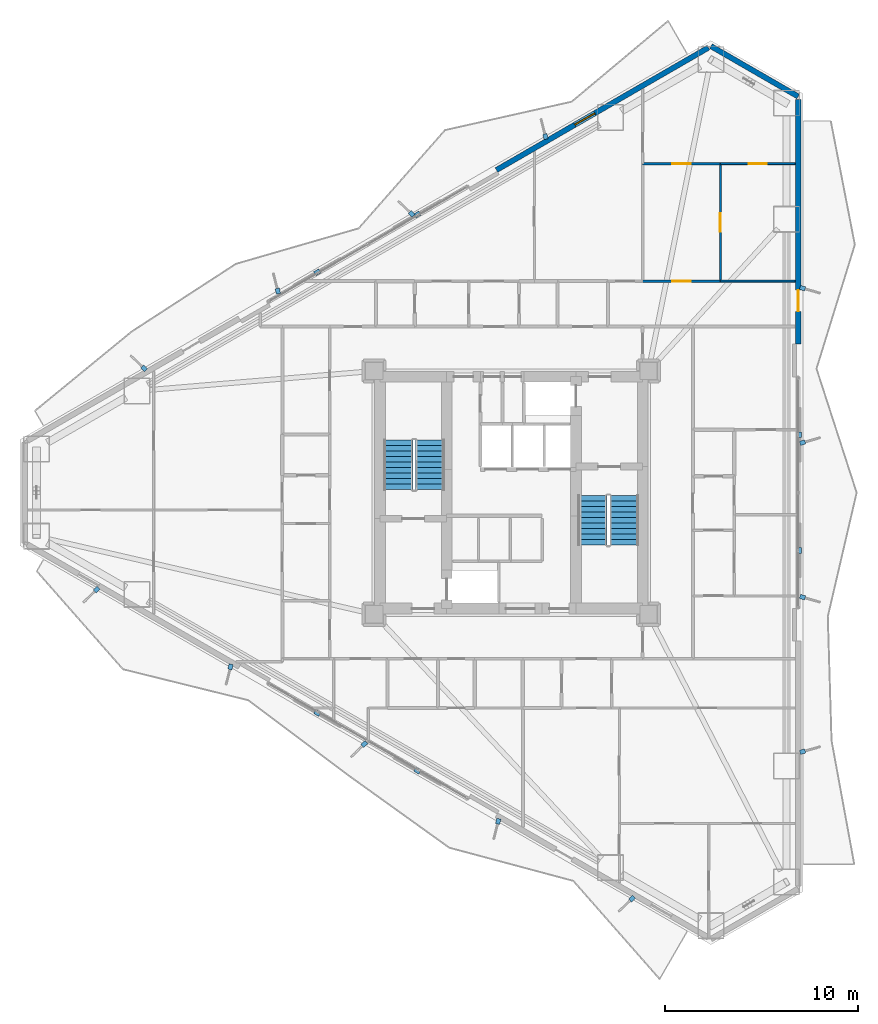
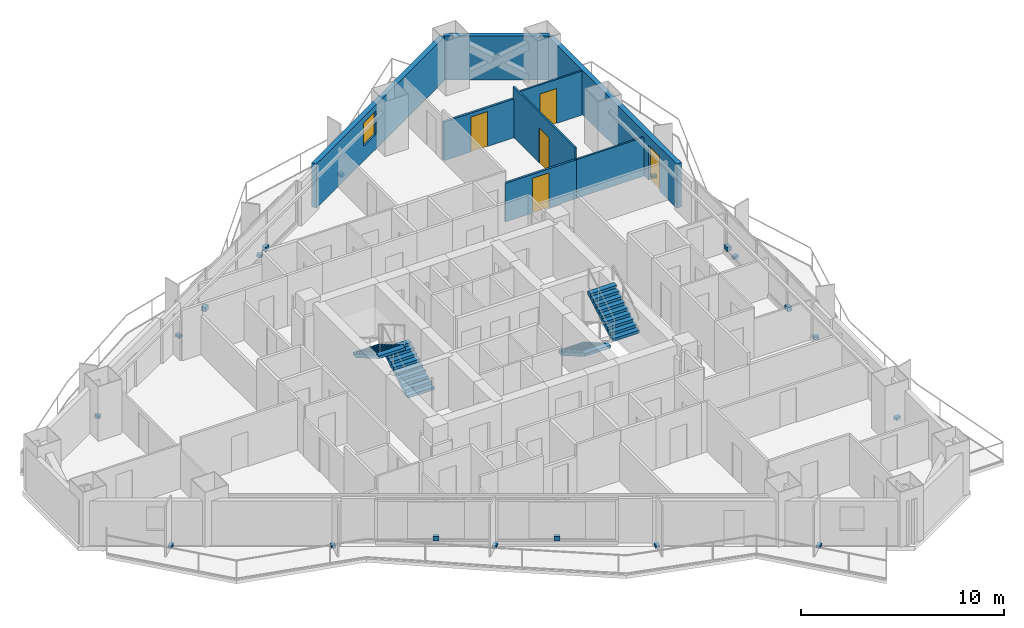
# One storey, part 17 of 19: 19 discrete accessories, 8 walls, 5 doors, 4 stair flights, 1 window, 6 openings, 2 elements without a shape of their own.
"""IFC4 building model written with IfcOpenShell, lengths in metres."""

from ifc_helpers import new_model, si_unit, direction, frame, frame_2d, origin, origin_2d, place, context, subcontext, project, spatial, polyline, rectangle, outline, extrude, material, layer, layer_set, type_object, element, fill, aggregate, save


model = new_model("IFC4")

# Units and contexts
model_context = context("Model", 3, precision=1e-05, world=origin(), true_north=direction((0.0, 1.0)))
body_context = subcontext(model_context, "Body", "Model", "MODEL_VIEW")
ifc_project = project(units=[si_unit("LENGTHUNIT", "METRE"), si_unit("AREAUNIT", "SQUARE_METRE"), si_unit("VOLUMEUNIT", "CUBIC_METRE"), si_unit("PLANEANGLEUNIT", "RADIAN"), si_unit("MASSUNIT", "GRAM", prefix="KILO")], contexts=[model_context])

# Site, building, storey
site_placement = place(None, origin())
site = spatial("IfcSite", under=ifc_project, at=site_placement, CompositionType="ELEMENT")
building_placement = place(site_placement, origin())
building = spatial("IfcBuilding", under=site, at=building_placement, Name="Mersakhor Tower and Convention Hall", CompositionType="ELEMENT")
storey_placement = place(building_placement, frame((0.0, 0.0, 22.5)))
storey = spatial("IfcBuildingStorey", under=building, at=storey_placement, Name="L05", CompositionType="ELEMENT", Elevation=22.5)

# Wall
ifc_material_1 = material(Name="Precast concrete C45/55", Category="concrete")
ifc_layer_1 = layer(ifc_material_1, 0.27490234375)
ifc_layer_set_1 = layer_set([ifc_layer_1], Name="Precast concrete C45/55")
wall_type_1 = type_object("IfcWallType", Name="WL-EXT-275", PredefinedType="SOLIDWALL", material=ifc_layer_set_1)
wall_1_placement = place(storey_placement, frame((39.3369140625, 49.865234375, 0.0), z_axis=(0.0, 0.0, 1.0), x_axis=(0.866043601342, -0.499968479581, 0.0)))
element("IfcWall", 1, at=wall_1_placement, inside=storey, type_object=wall_type_1, Name="L05 Chamfer Braced Spandrel Wall C1", PredefinedType="SOLIDWALL", context=body_context, shape_type="SweptSolid", body=[
    extrude(rectangle(XDim=5.211181640625, YDim=0.27490234375, at=frame_2d((2.60546875, 0.0))), origin(), (0.0, 0.0, 1.0), 2.659912109375),
])

# Wall, opening, window
wall_2_placement = place(storey_placement, frame((28.231689453125, 43.453857421875, 0.0), z_axis=(0.0, 0.0, 1.0), x_axis=(0.86603192154, 0.499988710747, 0.0)))
wall_2 = element("IfcWall", 2, at=wall_2_placement, inside=storey, type_object=wall_type_1, Name="L05 Exterior Facade Wall F1-B3", PredefinedType="SOLIDWALL", context=body_context, shape_type="SweptSolid", body=[
    extrude(rectangle(XDim=12.673095703125, YDim=0.27490234375, at=frame_2d((6.33642578125, 0.0))), origin(), (0.0, 0.0, 1.0), 2.659912109375),
])
opening_1_placement = place(wall_2_placement, frame((4.679931640625, 0.0, 0.89990234375)))
opening_1 = element("IfcOpeningElement", 3, at=opening_1_placement, cuts=wall_2, Name="Opening W-01", PredefinedType="OPENING", context=body_context, shape_type="SweptSolid", body=[
    extrude(rectangle(XDim=1.199951171875, YDim=1.39990234375, at=frame_2d((0.60009765625, 0.699951171875))), frame((0.0, 0.1474609375, 0.0), z_axis=(0.0, -1.0, 0.0), x_axis=(1.0, 0.0, 0.0)), (0.0, 0.0, 1.0), 0.294921875),
])
ifc_material_2 = material(Name="Dark solar low-E glazed aluminium window", Category="aluminium")
window_type = type_object("IfcWindowType", Name="WN-RES-120x150", PartitioningType="SINGLE_PANEL", PredefinedType="WINDOW", material=ifc_material_2)
window_placement = place(opening_1_placement, origin())
window = element("IfcWindow", 4, at=window_placement, inside=storey, type_object=window_type, Name="L05 Bedroom Facade Window F1-B3-1", OverallHeight=1.39990234375, OverallWidth=1.199951171875, PartitioningType="SINGLE_PANEL", PredefinedType="WINDOW", context=body_context, shape_type="SweptSolid", body=[
    extrude(rectangle(XDim=1.199951171875, YDim=1.39990234375, at=frame_2d((0.60009765625, 0.699951171875))), frame((0.0, 0.030029296875, 0.0), z_axis=(0.0, -1.0, 0.0), x_axis=(1.0, 0.0, 0.0)), (0.0, 0.0, 1.0), 0.06005859375),
])
fill(opening_1, window)

# Wall, opening, door
wall_3_placement = place(storey_placement, frame((43.85009765625, 47.109619140625, 0.0), z_axis=(0.0, 0.0, 1.0), x_axis=(0.0, -1.0, 0.0)))
wall_3 = element("IfcWall", 5, at=wall_3_placement, inside=storey, type_object=wall_type_1, Name="L05 Exterior Facade Wall F2-B1", PredefinedType="SOLIDWALL", context=body_context, shape_type="SweptSolid", body=[
    extrude(rectangle(XDim=12.673095703125, YDim=0.27490234375, at=frame_2d((6.33642578125, 0.0))), origin(), (0.0, 0.0, 1.0), 2.659912109375),
])
opening_2_placement = place(wall_3_placement, frame((9.8798828125, 0.0, 0.0)))
opening_2 = element("IfcOpeningElement", 6, at=opening_2_placement, cuts=wall_3, Name="Opening BD-02", PredefinedType="OPENING", context=body_context, shape_type="SweptSolid", body=[
    extrude(rectangle(XDim=1.10009765625, YDim=2.10009765625, at=frame_2d((0.550048828125, 1.050048828125))), frame((0.0, 0.1474609375, 0.0), z_axis=(0.0, -1.0, 0.0), x_axis=(1.0, 0.0, 0.0)), (0.0, 0.0, 1.0), 0.294921875),
])
ifc_material_3 = material(Name="Thermally broken dark aluminium and safety glass", Category="aluminium")
door_type_1 = type_object("IfcDoorType", Name="DR-BAL-110x210", OperationType="NOTDEFINED", PredefinedType="DOOR", material=ifc_material_3)
door_1_placement = place(opening_2_placement, origin())
door_1 = element("IfcDoor", 7, at=door_1_placement, inside=storey, type_object=door_type_1, Name="L05 Balcony Terrace Door F2-B1", OperationType="SINGLE_SWING_RIGHT", OverallHeight=2.10009765625, OverallWidth=1.10009765625, PredefinedType="DOOR", context=body_context, shape_type="SweptSolid", body=[
    extrude(rectangle(XDim=1.10009765625, YDim=2.10009765625, at=frame_2d((0.550048828125, 1.050048828125))), frame((0.0, 0.02490234375, 0.0), z_axis=(0.0, -1.0, 0.0), x_axis=(1.0, 0.0, 0.0)), (0.0, 0.0, 1.0), 0.050048828125),
])
fill(opening_2, door_1)

# Wall
ifc_material_4 = material(Name="Lightweight gypsum partition", Category="other")
ifc_layer_2 = layer(ifc_material_4, 0.10009765625)
ifc_layer_set_2 = layer_set([ifc_layer_2], Name="Lightweight gypsum partition")
wall_type_2 = type_object("IfcWallType", Name="WL-PRT-100", PredefinedType="PARTITIONING", material=ifc_layer_set_2)
wall_4_placement = place(storey_placement, frame((39.830078125, 37.699951171875, 0.0), z_axis=(0.0, 0.0, 1.0), x_axis=(1.0, 0.0, 0.0)))
element("IfcWall", 8, at=wall_4_placement, inside=storey, type_object=wall_type_2, Name="L05 Interior Partition Wall P-116", PredefinedType="PARTITIONING", context=body_context, shape_type="SweptSolid", body=[
    extrude(rectangle(XDim=3.8583984375, YDim=0.10009765625, at=frame_2d((1.92919921875, 0.0))), origin(), (0.0, 0.0, 1.0), 2.33740234375),
])

# Wall, opening, door
wall_5_placement = place(storey_placement, frame((39.830078125, 43.780029296875, 0.0), z_axis=(0.0, 0.0, 1.0), x_axis=(0.0, -1.0, 0.0)))
wall_5 = element("IfcWall", 9, at=wall_5_placement, inside=storey, type_object=wall_type_2, Name="L05 Interior Partition Wall P-120", PredefinedType="PARTITIONING", context=body_context, shape_type="SweptSolid", body=[
    extrude(rectangle(XDim=6.080078125, YDim=0.10009765625, at=frame_2d((3.0400390625, 0.0))), origin(), (0.0, 0.0, 1.0), 3.0400390625),
])
opening_3_placement = place(wall_5_placement, frame((2.56494140625, 0.0, 0.0)))
opening_3 = element("IfcOpeningElement", 10, at=opening_3_placement, cuts=wall_5, Name="Opening RD-01", PredefinedType="OPENING", context=body_context, shape_type="SweptSolid", body=[
    extrude(rectangle(XDim=0.949951171875, YDim=2.10009765625, at=frame_2d((0.47509765625, 1.050048828125))), frame((0.0, 0.06005859375, 0.0), z_axis=(0.0, -1.0, 0.0), x_axis=(1.0, 0.0, 0.0)), (0.0, 0.0, 1.0), 0.1201171875),
])
ifc_material_5 = material(Name="Solid-core hardwood leaf in painted steel frame", Category="steel")
door_type_2 = type_object("IfcDoorType", Name="DR-INT-RM-095x210", OperationType="NOTDEFINED", PredefinedType="DOOR", material=ifc_material_5)
door_2_placement = place(opening_3_placement, origin())
door_2 = element("IfcDoor", 11, at=door_2_placement, inside=storey, type_object=door_type_2, Name="L05 L05 Flat N1 Bedroom 2 to L05 Flat N1 Study Room Door", OperationType="SINGLE_SWING_RIGHT", OverallHeight=2.10009765625, OverallWidth=0.949951171875, PredefinedType="DOOR", context=body_context, shape_type="SweptSolid", body=[
    extrude(rectangle(XDim=0.949951171875, YDim=2.10009765625, at=frame_2d((0.47509765625, 1.050048828125))), frame((0.0, 0.02490234375, 0.0), z_axis=(0.0, -1.0, 0.0), x_axis=(1.0, 0.0, 0.0)), (0.0, 0.0, 1.0), 0.050048828125),
])
fill(opening_3, door_2)

wall_6_placement = place(storey_placement, frame((39.830078125, 43.780029296875, 0.0), z_axis=(0.0, 0.0, 1.0), x_axis=(1.0, 0.0, 0.0)))
wall_6 = element("IfcWall", 12, at=wall_6_placement, inside=storey, type_object=wall_type_2, Name="L05 Interior Partition Wall P-122", PredefinedType="PARTITIONING", context=body_context, shape_type="SweptSolid", body=[
    extrude(rectangle(XDim=3.8583984375, YDim=0.10009765625, at=frame_2d((1.92919921875, 0.0))), origin(), (0.0, 0.0, 1.0), 2.650390625),
])
opening_4_placement = place(wall_6_placement, frame((1.4541015625, 0.0, 0.0)))
opening_4 = element("IfcOpeningElement", 13, at=opening_4_placement, cuts=wall_6, Name="Opening RD-01", PredefinedType="OPENING", context=body_context, shape_type="SweptSolid", body=[
    extrude(rectangle(XDim=0.949951171875, YDim=2.10009765625, at=frame_2d((0.47509765625, 1.050048828125))), frame((0.0, 0.06005859375, 0.0), z_axis=(0.0, -1.0, 0.0), x_axis=(1.0, 0.0, 0.0)), (0.0, 0.0, 1.0), 0.1201171875),
])
door_3_placement = place(opening_4_placement, origin())
door_3 = element("IfcDoor", 14, at=door_3_placement, inside=storey, type_object=door_type_2, Name="L05 L05 Flat N1 Study Room to L05 Flat N1 Dining Room Door", OperationType="SINGLE_SWING_RIGHT", OverallHeight=2.10009765625, OverallWidth=0.949951171875, PredefinedType="DOOR", context=body_context, shape_type="SweptSolid", body=[
    extrude(rectangle(XDim=0.949951171875, YDim=2.10009765625, at=frame_2d((0.47509765625, 1.050048828125))), frame((0.0, 0.02490234375, 0.0), z_axis=(0.0, -1.0, 0.0), x_axis=(1.0, 0.0, 0.0)), (0.0, 0.0, 1.0), 0.050048828125),
])
fill(opening_4, door_3)

ifc_material_6 = material(Name="Gypsum board acoustic partition", Category="other")
ifc_layer_3 = layer(ifc_material_6, 0.125)
ifc_layer_set_3 = layer_set([ifc_layer_3], Name="Gypsum board acoustic partition")
wall_type_3 = type_object("IfcWallType", Name="WL-PRT-125", PredefinedType="PARTITIONING", material=ifc_layer_set_3)
wall_7_placement = place(storey_placement, frame((35.800048828125, 37.699951171875, 0.0), z_axis=(0.0, 0.0, 1.0), x_axis=(1.0, 0.0, 0.0)))
wall_7 = element("IfcWall", 15, at=wall_7_placement, inside=storey, type_object=wall_type_3, Name="L05 Interior Partition Wall P-115", PredefinedType="PARTITIONING", context=body_context, shape_type="SweptSolid", body=[
    extrude(rectangle(XDim=4.030029296875, YDim=0.125, at=frame_2d((2.01513671875, 0.0))), origin(), (0.0, 0.0, 1.0), 2.33740234375),
])
opening_5_placement = place(wall_7_placement, frame((1.5400390625, 0.0, 0.0)))
opening_5 = element("IfcOpeningElement", 16, at=opening_5_placement, cuts=wall_7, Name="Opening RD-01", PredefinedType="OPENING", context=body_context, shape_type="SweptSolid", body=[
    extrude(rectangle(XDim=0.949951171875, YDim=2.10009765625, at=frame_2d((0.47509765625, 1.050048828125))), frame((0.0, 0.072509765625, 0.0), z_axis=(0.0, -1.0, 0.0), x_axis=(1.0, 0.0, 0.0)), (0.0, 0.0, 1.0), 0.14501953125),
])
door_4_placement = place(opening_5_placement, origin())
door_4 = element("IfcDoor", 17, at=door_4_placement, inside=storey, type_object=door_type_2, Name="L05 L05 Flat N1 Study Room to L05 Flat N1 Bedroom 2 Door", OperationType="SINGLE_SWING_LEFT", OverallHeight=2.10009765625, OverallWidth=0.949951171875, PredefinedType="DOOR", context=body_context, shape_type="SweptSolid", body=[
    extrude(rectangle(XDim=0.949951171875, YDim=2.10009765625, at=frame_2d((0.47509765625, 1.050048828125))), frame((0.0, 0.02490234375, 0.0), z_axis=(0.0, -1.0, 0.0), x_axis=(1.0, 0.0, 0.0)), (0.0, 0.0, 1.0), 0.050048828125),
])
fill(opening_5, door_4)

wall_8_placement = place(storey_placement, frame((35.800048828125, 43.780029296875, 0.0), z_axis=(0.0, 0.0, 1.0), x_axis=(1.0, 0.0, 0.0)))
wall_8 = element("IfcWall", 18, at=wall_8_placement, inside=storey, type_object=wall_type_3, Name="L05 Interior Partition Wall P-121", PredefinedType="PARTITIONING", context=body_context, shape_type="SweptSolid", body=[
    extrude(rectangle(XDim=4.030029296875, YDim=0.125, at=frame_2d((2.01513671875, 0.0))), origin(), (0.0, 0.0, 1.0), 2.33740234375),
])
opening_6_placement = place(wall_8_placement, frame((1.5400390625, 0.0, 0.0)))
opening_6 = element("IfcOpeningElement", 19, at=opening_6_placement, cuts=wall_8, Name="Opening RD-01", PredefinedType="OPENING", context=body_context, shape_type="SweptSolid", body=[
    extrude(rectangle(XDim=0.949951171875, YDim=2.10009765625, at=frame_2d((0.47509765625, 1.050048828125))), frame((0.0, 0.072509765625, 0.0), z_axis=(0.0, -1.0, 0.0), x_axis=(1.0, 0.0, 0.0)), (0.0, 0.0, 1.0), 0.14501953125),
])
door_5_placement = place(opening_6_placement, origin())
door_5 = element("IfcDoor", 20, at=door_5_placement, inside=storey, type_object=door_type_2, Name="L05 L05 Flat N1 Bedroom 2 to L05 Flat N1 Dining Room Door", OperationType="SINGLE_SWING_LEFT", OverallHeight=2.10009765625, OverallWidth=0.949951171875, PredefinedType="DOOR", context=body_context, shape_type="SweptSolid", body=[
    extrude(rectangle(XDim=0.949951171875, YDim=2.10009765625, at=frame_2d((0.47509765625, 1.050048828125))), frame((0.0, 0.02490234375, 0.0), z_axis=(0.0, -1.0, 0.0), x_axis=(1.0, 0.0, 0.0)), (0.0, 0.0, 1.0), 0.050048828125),
])
fill(opening_6, door_5)

# Stair, stair flights
ifc_material_7 = material(Name="Concrete C45/55", Category="concrete")
stair_type = type_object("IfcStairType", Name="ST-TWR-20R", PredefinedType="HALF_TURN_STAIR", material=ifc_material_7)
stair_1_placement = place(storey_placement, origin())
stair_1 = element("IfcStair", 21, at=stair_1_placement, inside=storey, type_object=stair_type, Name="L05 Tower Protected Exit Stair ST-1", PredefinedType="HALF_TURN_STAIR")
ifc_material_8 = material(Name="Concrete C45/55", Category="concrete")
stair_flight_type = type_object("IfcStairFlightType", Name="SFL-TWR-20R", PredefinedType="STRAIGHT", material=ifc_material_8)
stair_flight_1_placement = place(storey_placement, frame((24.800048828125, 26.89990234375, 0.0), z_axis=(0.0, 0.0, 1.0), x_axis=(0.0, 1.0, 0.0)))
stair_flight_1 = element("IfcStairFlight", 22, at=stair_flight_1_placement, type_object=stair_flight_type, Name="ST-1 flight 1", NumberOfRisers=10, NumberOfTreads=9, PredefinedType="STRAIGHT", RiserHeight=0.165, TreadLength=0.285, context=body_context, shape_type="SweptSolid", body=[
    extrude(outline(polyline([(0.0, 0.0), (0.0, 0.1650390625), (0.284912109375, 0.1650390625), (0.284912109375, 0.330078125), (0.570068359375, 0.330078125), (0.570068359375, 0.4951171875), (0.85498046875, 0.4951171875), (0.85498046875, 0.659912109375), (1.139892578125, 0.659912109375), (1.139892578125, 0.824951171875), (1.425048828125, 0.824951171875), (1.425048828125, 0.989990234375), (1.7099609375, 0.989990234375), (1.7099609375, 1.155029296875), (1.9951171875, 1.155029296875), (1.9951171875, 1.320068359375), (2.280029296875, 1.320068359375), (2.280029296875, 1.485107421875), (2.56494140625, 1.485107421875), (2.56494140625, 1.64990234375), (2.56494140625, 1.311767578125), (0.299072265625, 0.0), (0.0, 0.0)])), frame((0.0, 0.75, 0.0), z_axis=(0.0, -1.0, 0.0), x_axis=(1.0, 0.0, 0.0)), (0.0, 0.0, 1.0), 1.5),
])
stair_flight_2_placement = place(storey_placement, frame((23.14990234375, 29.465087890625, 1.64990234375), z_axis=(0.0, 0.0, 1.0), x_axis=(0.0, -1.0, 0.0)))
stair_flight_2 = element("IfcStairFlight", 23, at=stair_flight_2_placement, type_object=stair_flight_type, Name="ST-1 flight 2", NumberOfRisers=10, NumberOfTreads=9, PredefinedType="STRAIGHT", RiserHeight=0.165, TreadLength=0.285, context=body_context, shape_type="SweptSolid", body=[
    extrude(outline(polyline([(0.0, 0.0), (0.0, 0.1650390625), (0.284912109375, 0.1650390625), (0.284912109375, 0.330078125), (0.570068359375, 0.330078125), (0.570068359375, 0.4951171875), (0.85498046875, 0.4951171875), (0.85498046875, 0.659912109375), (1.139892578125, 0.659912109375), (1.139892578125, 0.824951171875), (1.425048828125, 0.824951171875), (1.425048828125, 0.989990234375), (1.7099609375, 0.989990234375), (1.7099609375, 1.155029296875), (1.9951171875, 1.155029296875), (1.9951171875, 1.320068359375), (2.280029296875, 1.320068359375), (2.280029296875, 1.485107421875), (2.56494140625, 1.485107421875), (2.56494140625, 1.64990234375), (2.56494140625, 1.311767578125), (0.299072265625, 0.0), (0.0, 0.0)])), frame((0.0, 0.75, 0.0), z_axis=(0.0, -1.0, 0.0), x_axis=(1.0, 0.0, 0.0)), (0.0, 0.0, 1.0), 1.5),
])
aggregate(stair_1, [stair_flight_1, stair_flight_2])

stair_2_placement = place(storey_placement, origin())
stair_2 = element("IfcStair", 24, at=stair_2_placement, inside=storey, type_object=stair_type, Name="L05 Tower Protected Exit Stair ST-2", PredefinedType="HALF_TURN_STAIR")
stair_flight_3_placement = place(storey_placement, frame((33.199951171875, 26.60009765625, 0.0), z_axis=(0.0, 0.0, 1.0), x_axis=(0.0, -1.0, 0.0)))
stair_flight_3 = element("IfcStairFlight", 25, at=stair_flight_3_placement, type_object=stair_flight_type, Name="ST-2 flight 1", NumberOfRisers=10, NumberOfTreads=9, PredefinedType="STRAIGHT", RiserHeight=0.165, TreadLength=0.285, context=body_context, shape_type="SweptSolid", body=[
    extrude(outline(polyline([(0.0, 0.0), (0.0, 0.1650390625), (0.284912109375, 0.1650390625), (0.284912109375, 0.330078125), (0.570068359375, 0.330078125), (0.570068359375, 0.4951171875), (0.85498046875, 0.4951171875), (0.85498046875, 0.659912109375), (1.139892578125, 0.659912109375), (1.139892578125, 0.824951171875), (1.425048828125, 0.824951171875), (1.425048828125, 0.989990234375), (1.7099609375, 0.989990234375), (1.7099609375, 1.155029296875), (1.9951171875, 1.155029296875), (1.9951171875, 1.320068359375), (2.280029296875, 1.320068359375), (2.280029296875, 1.485107421875), (2.56494140625, 1.485107421875), (2.56494140625, 1.64990234375), (2.56494140625, 1.311767578125), (0.299072265625, 0.0), (0.0, 0.0)])), frame((0.0, 0.75, 0.0), z_axis=(0.0, -1.0, 0.0), x_axis=(1.0, 0.0, 0.0)), (0.0, 0.0, 1.0), 1.5),
])
stair_flight_4_placement = place(storey_placement, frame((34.85009765625, 24.034912109375, 1.64990234375), z_axis=(0.0, 0.0, 1.0), x_axis=(0.0, 1.0, 0.0)))
stair_flight_4 = element("IfcStairFlight", 26, at=stair_flight_4_placement, type_object=stair_flight_type, Name="ST-2 flight 2", NumberOfRisers=10, NumberOfTreads=9, PredefinedType="STRAIGHT", RiserHeight=0.165, TreadLength=0.285, context=body_context, shape_type="SweptSolid", body=[
    extrude(outline(polyline([(0.0, 0.0), (0.0, 0.1650390625), (0.284912109375, 0.1650390625), (0.284912109375, 0.330078125), (0.570068359375, 0.330078125), (0.570068359375, 0.4951171875), (0.85498046875, 0.4951171875), (0.85498046875, 0.659912109375), (1.139892578125, 0.659912109375), (1.139892578125, 0.824951171875), (1.425048828125, 0.824951171875), (1.425048828125, 0.989990234375), (1.7099609375, 0.989990234375), (1.7099609375, 1.155029296875), (1.9951171875, 1.155029296875), (1.9951171875, 1.320068359375), (2.280029296875, 1.320068359375), (2.280029296875, 1.485107421875), (2.56494140625, 1.485107421875), (2.56494140625, 1.64990234375), (2.56494140625, 1.311767578125), (0.299072265625, 0.0), (0.0, 0.0)])), frame((0.0, 0.75, 0.0), z_axis=(0.0, -1.0, 0.0), x_axis=(1.0, 0.0, 0.0)), (0.0, 0.0, 1.0), 1.5),
])
aggregate(stair_2, [stair_flight_3, stair_flight_4])

# Discrete accessories
ifc_material_9 = material(Name="Galvanised steel bracket", Category="steel")
ifc_layer_4 = layer(ifc_material_9, 0.02001953125)
ifc_layer_set_4 = layer_set([ifc_layer_4], Name="Galvanised steel bracket")
discrete_accessory_type = type_object("IfcDiscreteAccessoryType", Name="ACC-BRK-STL", PredefinedType="BRACKET", material=ifc_layer_set_4)
for number, where, z_axis, x_axis, name in (
    (27, (18.957763671875, 38.156982421875, 0.2900390625), (0.0, 0.0, 1.0), (0.866025403784, 0.5, 0.0), "L05 Solar Screen Outrigger Bracket BRK-1-1"),
    (28, (24.142333984375, 41.150390625, 0.2900390625), (0.0, 0.0, 1.0), (0.866025403784, 0.5, 0.0), "L05 Solar Screen Outrigger Bracket BRK-1-2"),
):
    element("IfcDiscreteAccessory", number, at=place(storey_placement, frame(where, z_axis=z_axis, x_axis=x_axis)), inside=storey, type_object=discrete_accessory_type, Name=name, PredefinedType="BRACKET", context=body_context, shape_type="SweptSolid", body=[
        extrude(rectangle(XDim=0.300048828125, YDim=0.239990234375, at=origin_2d()), origin(), (0.0, 0.0, 1.0), 0.260009765625),
    ])
for number, where, z_axis, x_axis, name in (
    (29, (9.981689453125, 33.1826171875, -0.02001953125), (0.0, 0.0, 1.0), (-0.719339800339, 0.694658370459, 0.0), "L05 Facade Fin Base Cleat Bracket FBRK-1-1"),
    (30, (16.909912109375, 37.1826171875, -0.02001953125), (0.0, 0.0, 1.0), (-0.2419218956, 0.970295726276, 0.0), "L05 Facade Fin Base Cleat Bracket FBRK-1-2"),
    (31, (23.838134765625, 41.1826171875, -0.02001953125), (0.0, 0.0, 1.0), (-0.719339800339, 0.694658370459, 0.0), "L05 Facade Fin Base Cleat Bracket FBRK-1-3"),
    (32, (30.766357421875, 45.1826171875, -0.02001953125), (0.0, 0.0, 1.0), (-0.2419218956, 0.970295726276, 0.0), "L05 Facade Fin Base Cleat Bracket FBRK-1-4"),
):
    element("IfcDiscreteAccessory", number, at=place(storey_placement, frame(where, z_axis=z_axis, x_axis=x_axis)), inside=storey, type_object=discrete_accessory_type, Name=name, PredefinedType="BRACKET", context=body_context, shape_type="SweptSolid", body=[
        extrude(rectangle(XDim=0.280029296875, YDim=0.219970703125, at=origin_2d()), origin(), (0.0, 0.0, 1.0), 0.159912109375),
    ])
for number, where, z_axis, x_axis, name in (
    (33, (43.89990234375, 29.743408203125, 0.2900390625), (0.0, 0.0, 1.0), (0.0, -1.0, 0.0), "L05 Solar Screen Outrigger Bracket BRK-2-1"),
    (34, (43.89990234375, 23.756591796875, 0.2900390625), (0.0, 0.0, 1.0), (0.0, -1.0, 0.0), "L05 Solar Screen Outrigger Bracket BRK-2-2"),
):
    element("IfcDiscreteAccessory", number, at=place(storey_placement, frame(where, z_axis=z_axis, x_axis=x_axis)), inside=storey, type_object=discrete_accessory_type, Name=name, PredefinedType="BRACKET", context=body_context, shape_type="SweptSolid", body=[
        extrude(rectangle(XDim=0.300048828125, YDim=0.239990234375, at=origin_2d()), origin(), (0.0, 0.0, 1.0), 0.260009765625),
    ])
for number, where, z_axis, x_axis, name in (
    (35, (44.080078125, 37.33740234375, -0.02001953125), (0.0, 0.0, 1.0), (0.961261695938, -0.275637355817, 0.0), "L05 Facade Fin Base Cleat Bracket FBRK-2-1"),
    (36, (44.080078125, 29.33740234375, -0.02001953125), (0.0, 0.0, 1.0), (0.961261695938, 0.275637355817, 0.0), "L05 Facade Fin Base Cleat Bracket FBRK-2-2"),
    (37, (44.080078125, 21.33740234375, -0.02001953125), (0.0, 0.0, 1.0), (0.961261695938, -0.275637355817, 0.0), "L05 Facade Fin Base Cleat Bracket FBRK-2-3"),
    (38, (44.080078125, 13.33740234375, -0.02001953125), (0.0, 0.0, 1.0), (0.961261695938, 0.275637355817, 0.0), "L05 Facade Fin Base Cleat Bracket FBRK-2-4"),
):
    element("IfcDiscreteAccessory", number, at=place(storey_placement, frame(where, z_axis=z_axis, x_axis=x_axis)), inside=storey, type_object=discrete_accessory_type, Name=name, PredefinedType="BRACKET", context=body_context, shape_type="SweptSolid", body=[
        extrude(rectangle(XDim=0.280029296875, YDim=0.219970703125, at=origin_2d()), origin(), (0.0, 0.0, 1.0), 0.159912109375),
    ])
for number, where, z_axis, x_axis, name in (
    (39, (24.14208984375, 12.349609375, 0.2900390625), (0.0, 0.0, 1.0), (-0.866025403784, 0.5, 0.0), "L05 Solar Screen Outrigger Bracket BRK-3-1"),
    (40, (18.957763671875, 15.3427734375, 0.2900390625), (0.0, 0.0, 1.0), (-0.866025403784, 0.5, 0.0), "L05 Solar Screen Outrigger Bracket BRK-3-2"),
):
    element("IfcDiscreteAccessory", number, at=place(storey_placement, frame(where, z_axis=z_axis, x_axis=x_axis)), inside=storey, type_object=discrete_accessory_type, Name=name, PredefinedType="BRACKET", context=body_context, shape_type="SweptSolid", body=[
        extrude(rectangle(XDim=0.300048828125, YDim=0.239990234375, at=origin_2d()), origin(), (0.0, 0.0, 1.0), 0.260009765625),
    ])
for number, where, z_axis, x_axis, name in (
    (41, (35.247802734375, 5.72998046875, -0.02001953125), (0.0, 0.0, 1.0), (-0.719339800339, -0.694658370459, 0.0), "L05 Facade Fin Base Cleat Bracket FBRK-3-1"),
    (42, (28.319580078125, 9.72998046875, -0.02001953125), (0.0, 0.0, 1.0), (-0.2419218956, -0.970295726276, 0.0), "L05 Facade Fin Base Cleat Bracket FBRK-3-2"),
    (43, (21.391357421875, 13.72998046875, -0.02001953125), (0.0, 0.0, 1.0), (-0.719339800339, -0.694658370459, 0.0), "L05 Facade Fin Base Cleat Bracket FBRK-3-3"),
    (44, (14.463134765625, 17.72998046875, -0.02001953125), (0.0, 0.0, 1.0), (-0.2419218956, -0.970295726276, 0.0), "L05 Facade Fin Base Cleat Bracket FBRK-3-4"),
    (45, (7.534912109375, 21.72998046875, -0.02001953125), (0.0, 0.0, 1.0), (-0.719339800339, -0.694658370459, 0.0), "L05 Facade Fin Base Cleat Bracket FBRK-3-5"),
):
    element("IfcDiscreteAccessory", number, at=place(storey_placement, frame(where, z_axis=z_axis, x_axis=x_axis)), inside=storey, type_object=discrete_accessory_type, Name=name, PredefinedType="BRACKET", context=body_context, shape_type="SweptSolid", body=[
        extrude(rectangle(XDim=0.280029296875, YDim=0.219970703125, at=origin_2d()), origin(), (0.0, 0.0, 1.0), 0.159912109375),
    ])

save(model, "model.ifc")
